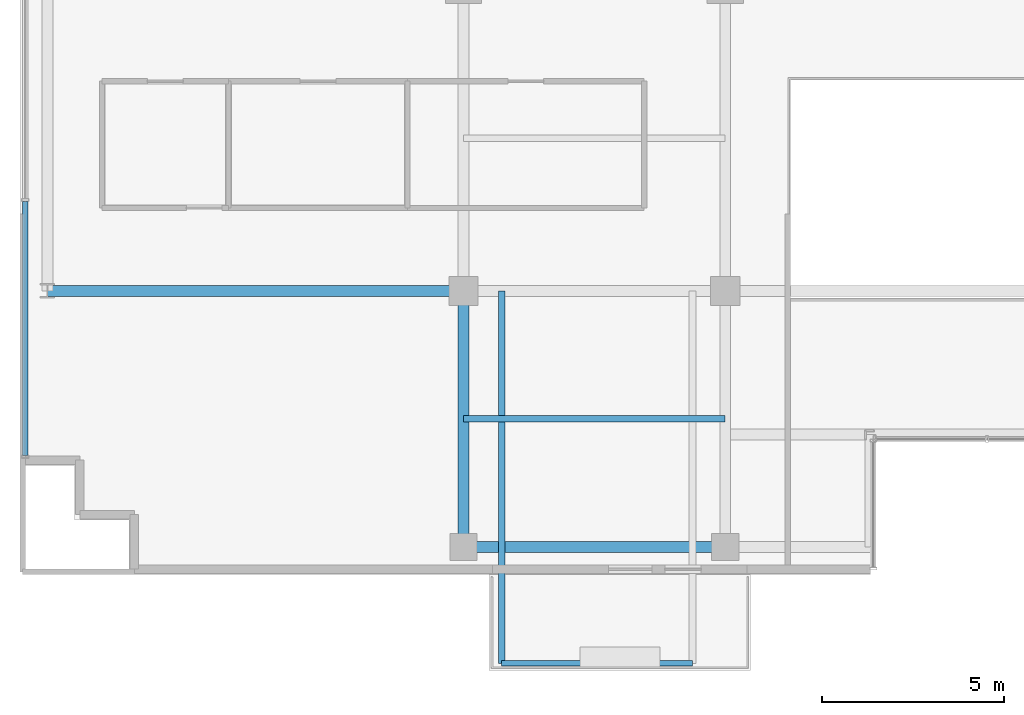
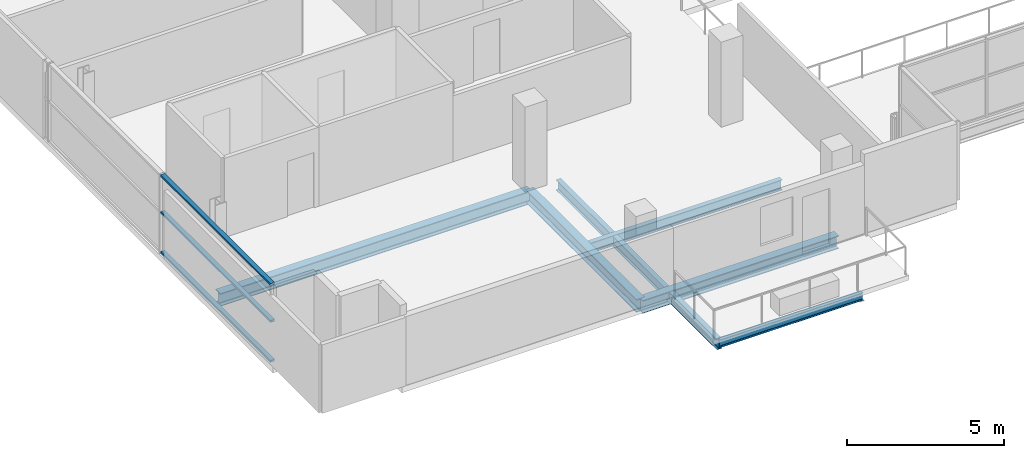
# One storey, part 3 of 25: 6 beams, 3 members, 1 element without a shape of its own.
"""IFC4 building model written with IfcOpenShell, lengths in metres."""

from ifc_helpers import new_model, si_unit, direction, frame, origin, origin_2d, place, context, subcontext, project, spatial, hollow_rectangle, i_section, extrude, source, transform, mapped, material, layer, layer_set, material_profile, profile_set, type_object, element, aggregate, save


model = new_model("IFC4")

# Units and contexts
model_context = context("Model", 3, precision=1e-05, world=origin(), true_north=direction((0.0, 1.0)))
body_context = subcontext(model_context, "Body", "Model", "MODEL_VIEW")
ifc_project = project(units=[si_unit("LENGTHUNIT", "METRE"), si_unit("AREAUNIT", "SQUARE_METRE"), si_unit("VOLUMEUNIT", "CUBIC_METRE"), si_unit("PLANEANGLEUNIT", "RADIAN"), si_unit("MASSUNIT", "GRAM", prefix="KILO")], contexts=[model_context])

# Site, building, storey
site_placement = place(None, origin())
site = spatial("IfcSite", under=ifc_project, at=site_placement, CompositionType="ELEMENT")
building_placement = place(site_placement, origin())
building = spatial("IfcBuilding", under=site, at=building_placement, Name="Zarnakvel Exchange Tower", CompositionType="ELEMENT")
storey_placement = place(building_placement, frame((0.0, 0.0, 162.699951171875)))
storey = spatial("IfcBuildingStorey", under=building, at=storey_placement, Name="L45", CompositionType="ELEMENT", Elevation=162.699951171875)

# Beams
ifc_material_1 = material(Name="Steel S355", Category="steel")
ifc_material_profile_1 = material_profile(ifc_material_1, i_section(OverallWidth=0.179931640625, OverallDepth=0.39990234375, WebThickness=0.008544921875, FlangeThickness=0.013427734375, FilletRadius=0.02099609375, at=origin_2d()))
ifc_profile_set_1 = profile_set([ifc_material_profile_1], Name="Steel S355")
beam_type_1 = type_object("IfcBeamType", Name="B-06", PredefinedType="JOIST", material=ifc_profile_set_1)
beam_1_placement = place(storey_placement, frame((-14.39990234375, -13.125, -0.425048828125), z_axis=(1.0, 0.0, 0.0), x_axis=(0.0, 1.0, 0.0)))
element("IfcBeam", 1, at=beam_1_placement, inside=storey, type_object=beam_type_1, Name="L45 Composite Floor Secondary Joist", PredefinedType="JOIST", context=body_context, shape_type="SweptSolid", body=[
    extrude(i_section(OverallWidth=0.179931640625, OverallDepth=0.39990234375, WebThickness=0.008544921875, FlangeThickness=0.013427734375, FilletRadius=0.02099609375, at=origin_2d()), origin(), (0.0, 0.0, 1.0), 7.199951171875),
])
beam_2_placement = place(storey_placement, frame((-13.35009765625, -9.60009765625, -0.425048828125), z_axis=(0.0, -1.0, 0.0), x_axis=(1.0, 0.0, 0.0)))
element("IfcBeam", 2, at=beam_2_placement, inside=storey, type_object=beam_type_1, Name="L45 Continuous Back-Spanned Balcony Beam W", PredefinedType="JOIST", context=body_context, shape_type="SweptSolid", body=[
    extrude(i_section(OverallWidth=0.179931640625, OverallDepth=0.39990234375, WebThickness=0.008544921875, FlangeThickness=0.013427734375, FilletRadius=0.02099609375, at=origin_2d()), origin(), (0.0, 0.0, 1.0), 10.25),
])
ifc_material_profile_2 = material_profile(ifc_material_1, i_section(OverallWidth=0.14990234375, OverallDepth=0.300048828125, WebThickness=0.007080078125, FlangeThickness=0.0107421875, FilletRadius=0.014892578125, at=origin_2d()))
ifc_profile_set_2 = profile_set([ifc_material_profile_2], Name="Steel S355")
beam_type_2 = type_object("IfcBeamType", Name="B-08", PredefinedType="JOIST", material=ifc_profile_set_2)
beam_3_placement = place(storey_placement, frame((-13.35009765625, -19.85009765625, -0.375), z_axis=(1.0, 0.0, 0.0), x_axis=(0.0, 1.0, 0.0)))
element("IfcBeam", 3, at=beam_3_placement, inside=storey, type_object=beam_type_2, Name="L45 Balcony Edge Beam", PredefinedType="JOIST", context=body_context, shape_type="SweptSolid", body=[
    extrude(i_section(OverallWidth=0.14990234375, OverallDepth=0.300048828125, WebThickness=0.007080078125, FlangeThickness=0.0107421875, FilletRadius=0.014892578125, at=origin_2d()), origin(), (0.0, 0.0, 1.0), 5.25),
])
ifc_material_profile_3 = material_profile(ifc_material_1, i_section(OverallWidth=0.300048828125, OverallDepth=0.5, WebThickness=0.014404296875, FlangeThickness=0.028076171875, FilletRadius=0.027099609375, at=origin_2d()))
ifc_profile_set_3 = profile_set([ifc_material_profile_3], Name="Steel S355")
beam_type_3 = type_object("IfcBeamType", Name="G-06", PredefinedType="BEAM", material=ifc_profile_set_3)
beam_4_placement = place(storey_placement, frame((-25.85009765625, -9.60009765625, -0.474853515625), z_axis=(1.0, 0.0, 0.0), x_axis=(0.0, 1.0, 0.0)))
element("IfcBeam", 4, at=beam_4_placement, inside=storey, type_object=beam_type_3, Name="L45 Tower E-W Frame Beam", PredefinedType="BEAM", context=body_context, shape_type="SweptSolid", body=[
    extrude(i_section(OverallWidth=0.300048828125, OverallDepth=0.5, WebThickness=0.014404296875, FlangeThickness=0.028076171875, FilletRadius=0.027099609375, at=origin_2d()), origin(), (0.0, 0.0, 1.0), 11.4501953125),
])
beam_5_placement = place(storey_placement, frame((-14.39990234375, -16.64990234375, -0.474853515625), z_axis=(0.0, 1.0, 0.0), x_axis=(-1.0, 0.0, 0.0)))
element("IfcBeam", 5, at=beam_5_placement, inside=storey, type_object=beam_type_3, Name="L45 Tower N-S Frame Beam", PredefinedType="BEAM", context=body_context, shape_type="SweptSolid", body=[
    extrude(i_section(OverallWidth=0.300048828125, OverallDepth=0.5, WebThickness=0.014404296875, FlangeThickness=0.028076171875, FilletRadius=0.027099609375, at=origin_2d()), origin(), (0.0, 0.0, 1.0), 7.0498046875),
])
ifc_material_profile_4 = material_profile(ifc_material_1, i_section(OverallWidth=0.300048828125, OverallDepth=0.5, WebThickness=0.014404296875, FlangeThickness=0.028076171875, FilletRadius=0.027099609375, at=origin_2d()))
ifc_profile_set_4 = profile_set([ifc_material_profile_4], Name="Steel S355")
beam_type_4 = type_object("IfcBeamType", Name="SP-02", PredefinedType="SPANDREL", material=ifc_profile_set_4)
beam_6_placement = place(storey_placement, frame((-14.39990234375, -16.64990234375, -0.474853515625), z_axis=(1.0, 0.0, 0.0), x_axis=(0.0, 1.0, 0.0)))
element("IfcBeam", 6, at=beam_6_placement, inside=storey, type_object=beam_type_4, Name="L45 Tower E-W Frame Beam", PredefinedType="SPANDREL", context=body_context, shape_type="SweptSolid", body=[
    extrude(i_section(OverallWidth=0.300048828125, OverallDepth=0.5, WebThickness=0.014404296875, FlangeThickness=0.028076171875, FilletRadius=0.027099609375, at=origin_2d()), origin(), (0.0, 0.0, 1.0), 7.199951171875),
])

# Curtain wall, members
ifc_material_2 = material(Name="Architectural Bronze Anodised Aluminium", Category="aluminium")
ifc_layer = layer(ifc_material_2, 0.199951171875)
ifc_layer_set = layer_set([ifc_layer], Name="Architectural Bronze Anodised Aluminium")
curtain_wall_type = type_object("IfcCurtainWallType", Name="CW-04", PredefinedType="NOTDEFINED", material=ifc_layer_set)
curtain_wall_placement = place(storey_placement, origin())
curtain_wall = element("IfcCurtainWall", 7, at=curtain_wall_placement, inside=storey, type_object=curtain_wall_type, Name="L45 Curtain Wall CW-L45-W1 (CW-04)", PredefinedType="NOTDEFINED")
ifc_material_profile_5 = material_profile(ifc_material_2, hollow_rectangle(XDim=0.159912109375, YDim=0.074951171875, WallThickness=0.00390625, at=origin_2d()))
ifc_profile_set_5 = profile_set([ifc_material_profile_5], Name="Architectural Bronze Anodised Aluminium")
member_type = type_object("IfcMemberType", Name="CWT-04", PredefinedType="USERDEFINED", material=ifc_profile_set_5)
shared_shape = source(origin(), body_context, "Body", "SweptSolid", [
    extrude(hollow_rectangle(XDim=0.159912109375, YDim=0.074951171875, WallThickness=0.00390625, at=origin_2d()), origin(), (0.0, 0.0, 1.0), 6.987548828125),
])
member_1_placement = place(storey_placement, frame((-26.4599609375, -14.125, 0.03759765625), z_axis=(0.0, 1.0, 0.0), x_axis=(-1.0, 0.0, 0.0)))
member_1 = element("IfcMember", 8, at=member_1_placement, type_object=member_type, Name="CW-04 transom 1.1", ObjectType="TRANSOM", PredefinedType="USERDEFINED", context=body_context, shape_type="MappedRepresentation", body=[
    mapped(shared_shape, transform((0.0, 0.0, 0.0), x_axis=(1.0, 0.0, 0.0), y_axis=(0.0, 1.0, 0.0), z_axis=(0.0, 0.0, 1.0), scale=1.0)),
])
member_2_placement = place(storey_placement, frame((-26.4599609375, -14.125, 1.588623046875), z_axis=(0.0, 1.0, 0.0), x_axis=(-1.0, 0.0, 0.0)))
member_2 = element("IfcMember", 9, at=member_2_placement, type_object=member_type, Name="CW-04 transom 1.2", ObjectType="TRANSOM", PredefinedType="USERDEFINED", context=body_context, shape_type="MappedRepresentation", body=[
    mapped(shared_shape, transform((0.0, 0.0, 0.0), x_axis=(1.0, 0.0, 0.0), y_axis=(0.0, 1.0, 0.0), z_axis=(0.0, 0.0, 1.0), scale=1.0)),
])
member_3_placement = place(storey_placement, frame((-26.4599609375, -14.125, 3.017578125), z_axis=(0.0, 1.0, 0.0), x_axis=(-1.0, 0.0, 0.0)))
member_3 = element("IfcMember", 10, at=member_3_placement, type_object=member_type, Name="CW-04 transom 1.3", ObjectType="TRANSOM", PredefinedType="USERDEFINED", context=body_context, shape_type="MappedRepresentation", body=[
    mapped(shared_shape, transform((0.0, 0.0, 0.0), x_axis=(1.0, 0.0, 0.0), y_axis=(0.0, 1.0, 0.0), z_axis=(0.0, 0.0, 1.0), scale=1.0)),
])
aggregate(curtain_wall, [member_1, member_2, member_3])

save(model, "model.ifc")
